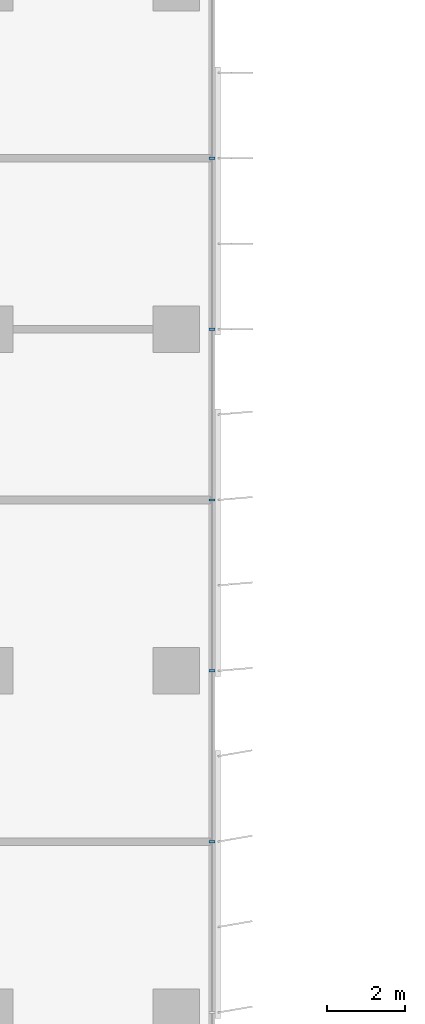
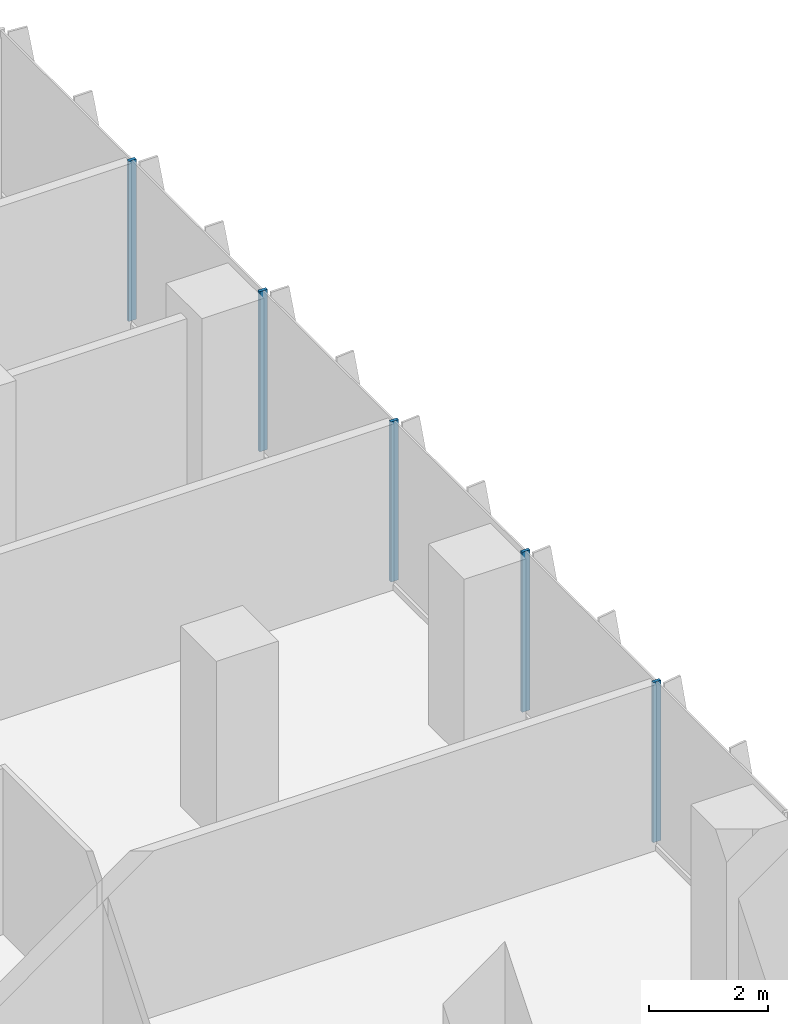
# One storey, part 5 of 22: 5 members, 1 element without a shape of its own.
"""IFC4 building model written with IfcOpenShell, lengths in metres."""

from ifc_helpers import new_model, si_unit, direction, frame, origin, origin_2d, place, context, subcontext, project, spatial, rectangle, extrude, source, transform, mapped, material, material_profile, profile_set, type_object, element, aggregate, save


model = new_model("IFC4")

# Units and contexts
model_context = context("Model", 3, precision=1e-05, world=origin(), true_north=direction((0.0, 1.0)))
body_context = subcontext(model_context, "Body", "Model", "MODEL_VIEW")
ifc_project = project(units=[si_unit("LENGTHUNIT", "METRE"), si_unit("AREAUNIT", "SQUARE_METRE"), si_unit("VOLUMEUNIT", "CUBIC_METRE"), si_unit("PLANEANGLEUNIT", "RADIAN"), si_unit("MASSUNIT", "GRAM", prefix="KILO")], contexts=[model_context])

# Site, building, storey
site_placement = place(None, origin())
site = spatial("IfcSite", under=ifc_project, at=site_placement, CompositionType="ELEMENT")
building_placement = place(site_placement, origin())
building = spatial("IfcBuilding", under=site, at=building_placement, Name="Kemantara Hotel Tower", CompositionType="ELEMENT")
storey_placement = place(building_placement, frame((0.0, 0.0, 111.10009765625)))
storey = spatial("IfcBuildingStorey", under=building, at=storey_placement, Name="L26", CompositionType="ELEMENT", Elevation=111.10009765625)

# Curtain wall, members
ifc_material_1 = material(Name="Low-E tinted double insulated glass 36 mm", Category="glass")
curtain_wall_type = type_object("IfcCurtainWallType", Name="TOWER CURTAIN WALL, FRONT FACES", PredefinedType="USERDEFINED", material=ifc_material_1)
curtain_wall_placement = place(storey_placement, origin())
curtain_wall = element("IfcCurtainWall", 1, at=curtain_wall_placement, inside=storey, type_object=curtain_wall_type, Name="CW4 L26 T2-R14-1", ObjectType="TOWER CURTAIN WALL, FRONT FACES", PredefinedType="USERDEFINED")
ifc_material_2 = material(Name="Aluminium 6063-T6 bronze anodised", Category="aluminium")
ifc_material_profile = material_profile(ifc_material_2, rectangle(XDim=0.14990234375, YDim=0.06005859375, at=origin_2d()), Name="TOWER CURTAIN WALL, FRONT FACES MULLION")
ifc_profile_set = profile_set([ifc_material_profile], Name="Aluminium 6063-T6 bronze anodised")
member_type = type_object("IfcMemberType", Name="TOWER CURTAIN WALL, FRONT FACES MULLION", PredefinedType="MULLION", material=ifc_profile_set)
shared_shape = source(origin(), body_context, "Body", "SweptSolid", [
    extrude(rectangle(XDim=0.14990234375, YDim=0.06005859375, at=origin_2d()), origin(), (0.0, 0.0, 1.0), 3.280029296875),
])
member_1_placement = place(storey_placement, frame((26.72509765625, 31.800048828125, 0.119873046875), z_axis=(0.0, 0.0, 1.0), x_axis=(-1.0, 0.0, 0.0)))
member_1 = element("IfcMember", 2, at=member_1_placement, type_object=member_type, Name="CW4 mullion T2-R14-1.4", PredefinedType="MULLION", context=body_context, shape_type="MappedRepresentation", body=[
    mapped(shared_shape, transform((0.0, 0.0, 0.0))),
])
member_2_placement = place(storey_placement, frame((26.72509765625, 36.199951171875, 0.119873046875), z_axis=(0.0, 0.0, 1.0), x_axis=(-1.0, 0.0, 0.0)))
member_2 = element("IfcMember", 3, at=member_2_placement, type_object=member_type, Name="CW4 mullion T2-R14-1.5", PredefinedType="MULLION", context=body_context, shape_type="MappedRepresentation", body=[
    mapped(shared_shape, transform((0.0, 0.0, 0.0))),
])
member_3_placement = place(storey_placement, frame((26.72509765625, 40.60009765625, 0.119873046875), z_axis=(0.0, 0.0, 1.0), x_axis=(-1.0, 0.0, 0.0)))
member_3 = element("IfcMember", 4, at=member_3_placement, type_object=member_type, Name="CW4 mullion T2-R14-1.6", PredefinedType="MULLION", context=body_context, shape_type="MappedRepresentation", body=[
    mapped(shared_shape, transform((0.0, 0.0, 0.0))),
])
member_4_placement = place(storey_placement, frame((26.72509765625, 45.0, 0.119873046875), z_axis=(0.0, 0.0, 1.0), x_axis=(-1.0, 0.0, 0.0)))
member_4 = element("IfcMember", 5, at=member_4_placement, type_object=member_type, Name="CW4 mullion T2-R14-1.7", PredefinedType="MULLION", context=body_context, shape_type="MappedRepresentation", body=[
    mapped(shared_shape, transform((0.0, 0.0, 0.0))),
])
member_5_placement = place(storey_placement, frame((26.72509765625, 49.39990234375, 0.119873046875), z_axis=(0.0, 0.0, 1.0), x_axis=(-1.0, 0.0, 0.0)))
member_5 = element("IfcMember", 6, at=member_5_placement, type_object=member_type, Name="CW4 mullion T2-R14-1.8", PredefinedType="MULLION", context=body_context, shape_type="MappedRepresentation", body=[
    mapped(shared_shape, transform((0.0, 0.0, 0.0))),
])
aggregate(curtain_wall, [member_1, member_2, member_3, member_4, member_5])

save(model, "model.ifc")
